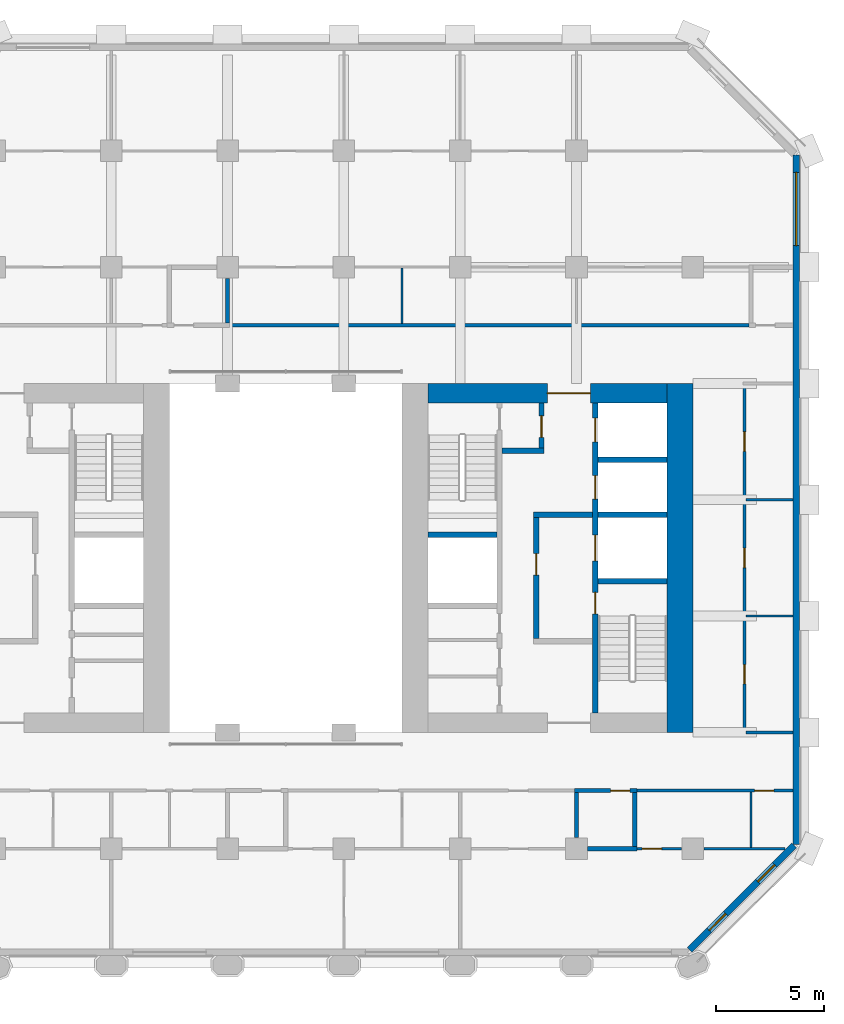
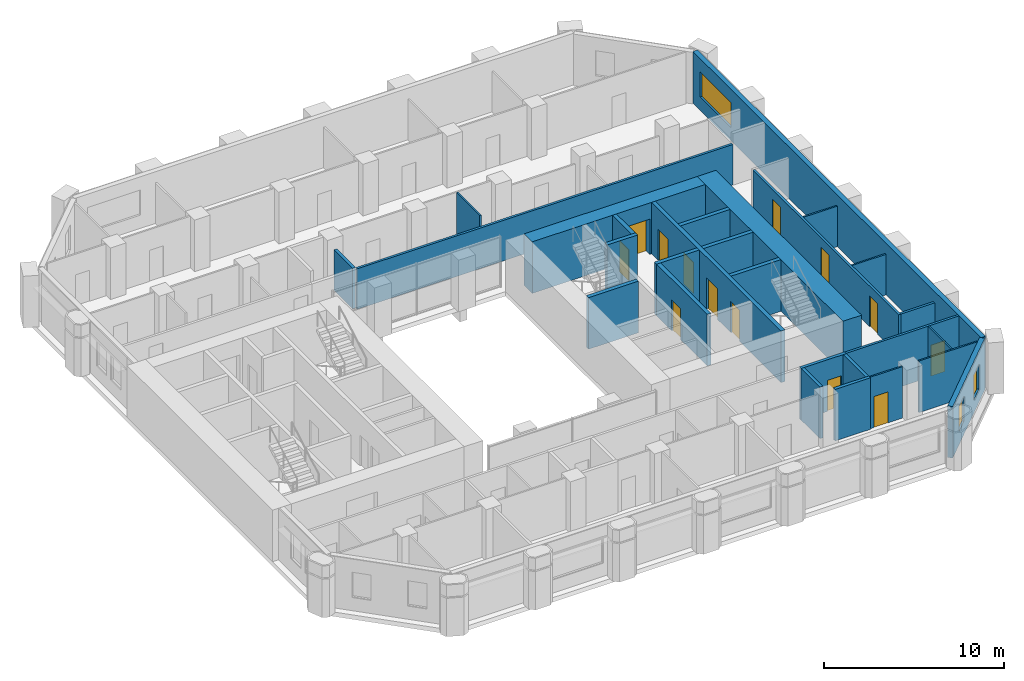
# One storey, part 6 of 10: 28 walls, 13 doors, 3 windows, 16 openings.
"""IFC4 building model written with IfcOpenShell, lengths in metres."""

from ifc_helpers import new_model, si_unit, direction, frame, frame_2d, origin, place, context, subcontext, project, spatial, rectangle, extrude, material, layer, layer_set, type_object, element, fill, save


model = new_model("IFC4")

# Units and contexts
model_context = context("Model", 3, precision=1e-05, world=origin(), true_north=direction((0.0, 1.0)))
body_context = subcontext(model_context, "Body", "Model", "MODEL_VIEW")
ifc_project = project(units=[si_unit("LENGTHUNIT", "METRE"), si_unit("AREAUNIT", "SQUARE_METRE"), si_unit("VOLUMEUNIT", "CUBIC_METRE"), si_unit("PLANEANGLEUNIT", "RADIAN"), si_unit("MASSUNIT", "GRAM", prefix="KILO")], contexts=[model_context])

# Site, building, storey
site_placement = place(None, origin())
site = spatial("IfcSite", under=ifc_project, at=site_placement, CompositionType="ELEMENT")
building_placement = place(site_placement, origin())
building = spatial("IfcBuilding", under=site, at=building_placement, Name="Tabaq Tower and Sports Hall", CompositionType="ELEMENT")
storey_placement = place(building_placement, frame((0.0, 0.0, 68.800048828125)))
storey = spatial("IfcBuildingStorey", under=building, at=storey_placement, Name="L15", CompositionType="ELEMENT", Elevation=68.800048828125)

# Wall
ifc_material_1 = material(Name="Concrete C60/75", Category="concrete")
ifc_layer_1 = layer(ifc_material_1, 1.199951171875)
ifc_layer_set_1 = layer_set([ifc_layer_1], Name="Core wall 1200 Concrete C60/75")
wall_type_1 = type_object("IfcWallType", Name="Core wall 1200 Concrete C60/75", PredefinedType="SOLIDWALL", material=ifc_layer_set_1)
wall_1_placement = place(storey_placement, frame((42.60009765625, 32.39990234375, 0.0), z_axis=(0.0, 0.0, 1.0), x_axis=(0.0, -1.0, 0.0)))
element("IfcWall", 1, at=wall_1_placement, inside=storey, type_object=wall_type_1, Name="Core wall E L15", PredefinedType="SOLIDWALL", context=body_context, shape_type="SweptSolid", body=[
    extrude(rectangle(XDim=16.199951171875, YDim=1.199951171875, at=frame_2d((8.10009765625, 0.0))), origin(), (0.0, 0.0, 1.0), 3.5),
])

# Wall, opening, door
ifc_material_2 = material(Name="Concrete C60/75", Category="concrete")
ifc_layer_2 = layer(ifc_material_2, 0.89990234375)
ifc_layer_set_2 = layer_set([ifc_layer_2], Name="Core wall 900 Concrete C60/75")
wall_type_2 = type_object("IfcWallType", Name="Core wall 900 Concrete C60/75", PredefinedType="SOLIDWALL", material=ifc_layer_set_2)
wall_2_placement = place(storey_placement, frame((30.89990234375, 31.949951171875, 0.0), z_axis=(0.0, 0.0, 1.0), x_axis=(1.0, 0.0, 0.0)))
wall_2 = element("IfcWall", 2, at=wall_2_placement, inside=storey, type_object=wall_type_2, Name="Core wall E L15", PredefinedType="SOLIDWALL", context=body_context, shape_type="SweptSolid", body=[
    extrude(rectangle(XDim=11.10009765625, YDim=0.89990234375, at=frame_2d((5.550048828125, 0.0))), origin(), (0.0, 0.0, 1.0), 3.5),
])
opening_1_placement = place(wall_2_placement, frame((5.550048828125, 0.0, 0.0)))
opening_1 = element("IfcOpeningElement", 3, at=opening_1_placement, cuts=wall_2, Name="Opening PD-EL15-02", PredefinedType="OPENING", context=body_context, shape_type="SweptSolid", body=[
    extrude(rectangle(XDim=2.0, YDim=2.39990234375, at=frame_2d((1.0, 1.199951171875))), frame((0.0, 0.449951171875, 0.0), z_axis=(0.0, -1.0, 0.0), x_axis=(1.0, 0.0, 0.0)), (0.0, 0.0, 1.0), 0.89990234375),
])
ifc_material_3 = material(Name="Steel fire door", Category="steel")
door_type_1 = type_object("IfcDoorType", Name="Core entrance door 2000", OperationType="DOUBLE_DOOR_SINGLE_SWING", PredefinedType="DOOR", material=ifc_material_3)
door_1_placement = place(opening_1_placement, origin())
door_1 = element("IfcDoor", 4, at=door_1_placement, inside=storey, type_object=door_type_1, Name="Core entrance north E L15", OperationType="DOUBLE_DOOR_SINGLE_SWING", OverallHeight=2.39990234375, OverallWidth=2.0, PredefinedType="DOOR", context=body_context, shape_type="SweptSolid", body=[
    extrude(rectangle(XDim=2.0, YDim=2.39990234375, at=frame_2d((1.0, 1.199951171875))), frame((0.0, 0.02490234375, 0.0), z_axis=(0.0, -1.0, 0.0), x_axis=(1.0, 0.0, 0.0)), (0.0, 0.0, 1.0), 0.050048828125),
])
fill(opening_1, door_1)

ifc_material_4 = material(Name="Blockwork", Category="masonry")
ifc_layer_3 = layer(ifc_material_4, 0.199951171875)
ifc_layer_set_3 = layer_set([ifc_layer_3], Name="Fire compartment wall 200 Blockwork")
wall_type_3 = type_object("IfcWallType", Name="Fire compartment wall 200 Blockwork", PredefinedType="PARTITIONING", material=ifc_layer_set_3)
wall_3_placement = place(storey_placement, frame((40.60009765625, 13.5, 0.0), z_axis=(0.0, 0.0, 1.0), x_axis=(-1.0, 0.0, 0.0)))
wall_3 = element("IfcWall", 5, at=wall_3_placement, inside=storey, type_object=wall_type_3, Name="Compartment wall L15", PredefinedType="PARTITIONING", context=body_context, shape_type="SweptSolid", body=[
    extrude(rectangle(XDim=2.900146484375, YDim=0.199951171875, at=frame_2d((1.4501953125, 0.0))), origin(), (0.0, 0.0, 1.0), 3.5),
])
opening_2_placement = place(wall_3_placement, frame((0.320068359375, 0.0, 0.0)))
opening_2 = element("IfcOpeningElement", 6, at=opening_2_placement, cuts=wall_3, Name="Opening L15-008", PredefinedType="OPENING", context=body_context, shape_type="SweptSolid", body=[
    extrude(rectangle(XDim=0.89990234375, YDim=2.10009765625, at=frame_2d((0.449951171875, 1.050048828125))), frame((0.0, 0.10009765625, 0.0), z_axis=(0.0, -1.0, 0.0), x_axis=(1.0, 0.0, 0.0)), (0.0, 0.0, 1.0), 0.199951171875),
])
ifc_material_5 = material(Name="Steel fire door", Category="steel")
door_type_2 = type_object("IfcDoorType", Name="Plant room door 900 right hand", OperationType="SINGLE_SWING_RIGHT", PredefinedType="DOOR", material=ifc_material_5)
door_2_placement = place(opening_2_placement, origin())
door_2 = element("IfcDoor", 7, at=door_2_placement, inside=storey, type_object=door_type_2, Name="Plant room door L15-008", OperationType="SINGLE_SWING_RIGHT", OverallHeight=2.10009765625, OverallWidth=0.89990234375, PredefinedType="DOOR", context=body_context, shape_type="SweptSolid", body=[
    extrude(rectangle(XDim=0.89990234375, YDim=2.10009765625, at=frame_2d((0.449951171875, 1.050048828125))), frame((0.0, 0.02490234375, 0.0), z_axis=(0.0, -1.0, 0.0), x_axis=(1.0, 0.0, 0.0)), (0.0, 0.0, 1.0), 0.050048828125),
])
fill(opening_2, door_2)

# Walls
wall_4_placement = place(storey_placement, frame((21.60009765625, 35.199951171875, 0.0), z_axis=(0.0, 0.0, 1.0), x_axis=(0.0, 1.0, 0.0)))
element("IfcWall", 8, at=wall_4_placement, inside=storey, type_object=wall_type_3, Name="Compartment wall L15", PredefinedType="PARTITIONING", context=body_context, shape_type="SweptSolid", body=[
    extrude(rectangle(XDim=2.080078125, YDim=0.199951171875, at=frame_2d((1.0400390625, 0.0))), origin(), (0.0, 0.0, 1.0), 2.75),
])
wall_5_placement = place(storey_placement, frame((37.800048828125, 11.320068359375, 0.0), z_axis=(0.0, 0.0, 1.0), x_axis=(0.0, 1.0, 0.0)))
element("IfcWall", 9, at=wall_5_placement, inside=storey, type_object=wall_type_3, Name="Compartment wall L15", PredefinedType="PARTITIONING", context=body_context, shape_type="SweptSolid", body=[
    extrude(rectangle(XDim=2.079833984375, YDim=0.199951171875, at=frame_2d((1.0400390625, 0.0))), origin(), (0.0, 0.0, 1.0), 3.5),
])
wall_6_placement = place(storey_placement, frame((38.320068359375, 10.800048828125, 0.0), z_axis=(0.0, 0.0, 1.0), x_axis=(1.0, 0.0, 0.0)))
element("IfcWall", 10, at=wall_6_placement, inside=storey, type_object=wall_type_3, Name="Compartment wall L15", PredefinedType="PARTITIONING", context=body_context, shape_type="SweptSolid", body=[
    extrude(rectangle(XDim=2.280029296875, YDim=0.199951171875, at=frame_2d((1.14013671875, 0.0))), origin(), (0.0, 0.0, 1.0), 3.5),
])
wall_7_placement = place(storey_placement, frame((40.5, 10.89990234375, 0.0), z_axis=(0.0, 0.0, 1.0), x_axis=(0.0, 1.0, 0.0)))
element("IfcWall", 11, at=wall_7_placement, inside=storey, type_object=wall_type_3, Name="Compartment wall L15", PredefinedType="PARTITIONING", context=body_context, shape_type="SweptSolid", body=[
    extrude(rectangle(XDim=2.5, YDim=0.199951171875, at=frame_2d((1.25, 0.0))), origin(), (0.0, 0.0, 1.0), 3.5),
])
ifc_material_6 = material(Name="Gypsum board on steel studs", Category="steel")
ifc_layer_4 = layer(ifc_material_6, 0.10009765625)
ifc_layer_set_4 = layer_set([ifc_layer_4], Name="Partition 100 Gypsum board")
wall_type_4 = type_object("IfcWallType", Name="Partition 100 Gypsum board", PredefinedType="PARTITIONING", material=ifc_layer_set_4)
wall_8_placement = place(storey_placement, frame((29.699951171875, 35.175048828125, 0.0), z_axis=(0.0, 0.0, 1.0), x_axis=(0.0, 1.0, 0.0)))
element("IfcWall", 12, at=wall_8_placement, inside=storey, type_object=wall_type_4, Name="Partition wall L15", PredefinedType="PARTITIONING", context=body_context, shape_type="SweptSolid", body=[
    extrude(rectangle(XDim=2.574951171875, YDim=0.10009765625, at=frame_2d((1.28759765625, 0.0))), origin(), (0.0, 0.0, 1.0), 3.5),
])

# Wall, opening, door
wall_9_placement = place(storey_placement, frame((40.60009765625, 10.800048828125, 0.0), z_axis=(0.0, 0.0, 1.0), x_axis=(1.0, 0.0, 0.0)))
wall_9 = element("IfcWall", 13, at=wall_9_placement, inside=storey, type_object=wall_type_4, Name="Partition wall L15", PredefinedType="PARTITIONING", context=body_context, shape_type="SweptSolid", body=[
    extrude(rectangle(XDim=2.079833984375, YDim=0.10009765625, at=frame_2d((1.0400390625, 0.0))), origin(), (0.0, 0.0, 1.0), 3.5),
])
opening_3_placement = place(wall_9_placement, frame((0.25, 0.0, 0.0)))
opening_3 = element("IfcOpeningElement", 14, at=opening_3_placement, cuts=wall_9, Name="Opening L15-027", PredefinedType="OPENING", context=body_context, shape_type="SweptSolid", body=[
    extrude(rectangle(XDim=0.89990234375, YDim=2.10009765625, at=frame_2d((0.449951171875, 1.050048828125))), frame((0.0, 0.050048828125, 0.0), z_axis=(0.0, -1.0, 0.0), x_axis=(1.0, 0.0, 0.0)), (0.0, 0.0, 1.0), 0.10009765625),
])
ifc_material_7 = material(Name="Timber leaf in steel frame", Category="steel")
door_type_3 = type_object("IfcDoorType", Name="Internal door 900 left hand", OperationType="SINGLE_SWING_LEFT", PredefinedType="DOOR", material=ifc_material_7)
door_3_placement = place(opening_3_placement, origin())
door_3 = element("IfcDoor", 15, at=door_3_placement, inside=storey, type_object=door_type_3, Name="Internal door L15-027", OperationType="SINGLE_SWING_LEFT", OverallHeight=2.10009765625, OverallWidth=0.89990234375, PredefinedType="DOOR", context=body_context, shape_type="SweptSolid", body=[
    extrude(rectangle(XDim=0.89990234375, YDim=2.10009765625, at=frame_2d((0.449951171875, 1.050048828125))), frame((0.0, 0.02490234375, 0.0), z_axis=(0.0, -1.0, 0.0), x_axis=(1.0, 0.0, 0.0)), (0.0, 0.0, 1.0), 0.050048828125),
])
fill(opening_3, door_3)

# Walls
wall_10_placement = place(storey_placement, frame((45.89990234375, 10.85009765625, 0.0), z_axis=(0.0, 0.0, 1.0), x_axis=(0.0, 1.0, 0.0)))
element("IfcWall", 16, at=wall_10_placement, inside=storey, type_object=wall_type_4, Name="Partition wall L15", PredefinedType="PARTITIONING", context=body_context, shape_type="SweptSolid", body=[
    extrude(rectangle(XDim=2.574951171875, YDim=0.10009765625, at=frame_2d((1.28759765625, 0.0))), origin(), (0.0, 0.0, 1.0), 3.5),
])
wall_11_placement = place(storey_placement, frame((43.719970703125, 10.800048828125, 0.0), z_axis=(0.0, 0.0, 1.0), x_axis=(1.0, 0.0, 0.0)))
element("IfcWall", 17, at=wall_11_placement, inside=storey, type_object=wall_type_4, Name="Partition wall L15", PredefinedType="PARTITIONING", context=body_context, shape_type="SweptSolid", body=[
    extrude(rectangle(XDim=3.767822265625, YDim=0.10009765625, at=frame_2d((1.8837890625, 0.0))), origin(), (0.0, 0.0, 1.0), 3.5),
])
for number, where, z_axis, x_axis, name in (
    (18, (45.675048828125, 21.60009765625, 0.0), (0.0, 0.0, 1.0), (1.0, 0.0, 0.0), "Partition wall L15"),
    (19, (45.675048828125, 27.0, 0.0), (0.0, 0.0, 1.0), (1.0, 0.0, 0.0), "Partition wall L15"),
):
    element("IfcWall", number, at=place(storey_placement, frame(where, z_axis=z_axis, x_axis=x_axis)), inside=storey, type_object=wall_type_4, Name=name, PredefinedType="PARTITIONING", context=body_context, shape_type="SweptSolid", body=[
        extrude(rectangle(XDim=2.174072265625, YDim=0.10009765625, at=frame_2d((1.0869140625, 0.0))), origin(), (0.0, 0.0, 1.0), 2.75),
    ])

# Wall, openings, doors
ifc_material_8 = material(Name="Blockwork", Category="masonry")
ifc_layer_5 = layer(ifc_material_8, 0.14990234375)
ifc_layer_set_5 = layer_set([ifc_layer_5], Name="Separating wall 150 Blockwork")
wall_type_5 = type_object("IfcWallType", Name="Separating wall 150 Blockwork", PredefinedType="PARTITIONING", material=ifc_layer_set_5)
wall_12_placement = place(storey_placement, frame((45.60009765625, 32.324951171875, 0.0), z_axis=(0.0, 0.0, 1.0), x_axis=(0.0, -1.0, 0.0)))
wall_12 = element("IfcWall", 20, at=wall_12_placement, inside=storey, type_object=wall_type_5, Name="Separating wall L15", PredefinedType="PARTITIONING", context=body_context, shape_type="SweptSolid", body=[
    extrude(rectangle(XDim=16.199951171875, YDim=0.14990234375, at=frame_2d((8.10009765625, 0.0))), origin(), (0.0, 0.0, 1.0), 2.75),
])
opening_4_placement = place(wall_12_placement, frame((12.97509765625, 0.0, 0.0)))
opening_4 = element("IfcOpeningElement", 21, at=opening_4_placement, cuts=wall_12, Name="Opening L15-010", PredefinedType="OPENING", context=body_context, shape_type="SweptSolid", body=[
    extrude(rectangle(XDim=0.89990234375, YDim=2.10009765625, at=frame_2d((0.449951171875, 1.050048828125))), frame((0.0, 0.074951171875, 0.0), z_axis=(0.0, -1.0, 0.0), x_axis=(1.0, 0.0, 0.0)), (0.0, 0.0, 1.0), 0.14990234375),
])
opening_5_placement = place(wall_12_placement, frame((7.574951171875, 0.0, 0.0)))
opening_5 = element("IfcOpeningElement", 22, at=opening_5_placement, cuts=wall_12, Name="Opening L15-011", PredefinedType="OPENING", context=body_context, shape_type="SweptSolid", body=[
    extrude(rectangle(XDim=0.89990234375, YDim=2.10009765625, at=frame_2d((0.449951171875, 1.050048828125))), frame((0.0, 0.074951171875, 0.0), z_axis=(0.0, -1.0, 0.0), x_axis=(1.0, 0.0, 0.0)), (0.0, 0.0, 1.0), 0.14990234375),
])
opening_6_placement = place(wall_12_placement, frame((2.175048828125, 0.0, 0.0)))
opening_6 = element("IfcOpeningElement", 23, at=opening_6_placement, cuts=wall_12, Name="Opening L15-012", PredefinedType="OPENING", context=body_context, shape_type="SweptSolid", body=[
    extrude(rectangle(XDim=0.89990234375, YDim=2.10009765625, at=frame_2d((0.449951171875, 1.050048828125))), frame((0.0, 0.074951171875, 0.0), z_axis=(0.0, -1.0, 0.0), x_axis=(1.0, 0.0, 0.0)), (0.0, 0.0, 1.0), 0.14990234375),
])
door_4_placement = place(opening_4_placement, origin())
door_4 = element("IfcDoor", 24, at=door_4_placement, inside=storey, type_object=door_type_3, Name="Internal door L15-010", OperationType="SINGLE_SWING_LEFT", OverallHeight=2.10009765625, OverallWidth=0.89990234375, PredefinedType="DOOR", context=body_context, shape_type="SweptSolid", body=[
    extrude(rectangle(XDim=0.89990234375, YDim=2.10009765625, at=frame_2d((0.449951171875, 1.050048828125))), frame((0.0, 0.02490234375, 0.0), z_axis=(0.0, -1.0, 0.0), x_axis=(1.0, 0.0, 0.0)), (0.0, 0.0, 1.0), 0.050048828125),
])
fill(opening_4, door_4)
door_5_placement = place(opening_5_placement, origin())
door_5 = element("IfcDoor", 25, at=door_5_placement, inside=storey, type_object=door_type_3, Name="Internal door L15-011", OperationType="SINGLE_SWING_LEFT", OverallHeight=2.10009765625, OverallWidth=0.89990234375, PredefinedType="DOOR", context=body_context, shape_type="SweptSolid", body=[
    extrude(rectangle(XDim=0.89990234375, YDim=2.10009765625, at=frame_2d((0.449951171875, 1.050048828125))), frame((0.0, 0.02490234375, 0.0), z_axis=(0.0, -1.0, 0.0), x_axis=(1.0, 0.0, 0.0)), (0.0, 0.0, 1.0), 0.050048828125),
])
fill(opening_5, door_5)
door_6_placement = place(opening_6_placement, origin())
door_6 = element("IfcDoor", 26, at=door_6_placement, inside=storey, type_object=door_type_3, Name="Internal door L15-012", OperationType="SINGLE_SWING_LEFT", OverallHeight=2.10009765625, OverallWidth=0.89990234375, PredefinedType="DOOR", context=body_context, shape_type="SweptSolid", body=[
    extrude(rectangle(XDim=0.89990234375, YDim=2.10009765625, at=frame_2d((0.449951171875, 1.050048828125))), frame((0.0, 0.02490234375, 0.0), z_axis=(0.0, -1.0, 0.0), x_axis=(1.0, 0.0, 0.0)), (0.0, 0.0, 1.0), 0.050048828125),
])
fill(opening_6, door_6)

# Wall
wall_13_placement = place(storey_placement, frame((45.675048828125, 16.199951171875, 0.0), z_axis=(0.0, 0.0, 1.0), x_axis=(1.0, 0.0, 0.0)))
element("IfcWall", 27, at=wall_13_placement, inside=storey, type_object=wall_type_5, Name="Separating wall L15", PredefinedType="PARTITIONING", context=body_context, shape_type="SweptSolid", body=[
    extrude(rectangle(XDim=2.174072265625, YDim=0.14990234375, at=frame_2d((1.0869140625, 0.0))), origin(), (0.0, 0.0, 1.0), 2.75),
])

# Wall, opening, door
wall_14_placement = place(storey_placement, frame((47.84912109375, 13.5, 0.0), z_axis=(0.0, 0.0, 1.0), x_axis=(-1.0, 0.0, 0.0)))
wall_14 = element("IfcWall", 28, at=wall_14_placement, inside=storey, type_object=wall_type_5, Name="Separating wall L15", PredefinedType="PARTITIONING", context=body_context, shape_type="SweptSolid", body=[
    extrude(rectangle(XDim=7.2490234375, YDim=0.14990234375, at=frame_2d((3.62451171875, 0.0))), origin(), (0.0, 0.0, 1.0), 3.5),
])
opening_7_placement = place(wall_14_placement, frame((0.87890625, 0.0, 0.0)))
opening_7 = element("IfcOpeningElement", 29, at=opening_7_placement, cuts=wall_14, Name="Opening L15-009", PredefinedType="OPENING", context=body_context, shape_type="SweptSolid", body=[
    extrude(rectangle(XDim=0.89990234375, YDim=2.10009765625, at=frame_2d((0.449951171875, 1.050048828125))), frame((0.0, 0.074951171875, 0.0), z_axis=(0.0, -1.0, 0.0), x_axis=(1.0, 0.0, 0.0)), (0.0, 0.0, 1.0), 0.14990234375),
])
ifc_material_9 = material(Name="Steel fire door", Category="steel")
door_type_4 = type_object("IfcDoorType", Name="Entrance door 900 right hand", OperationType="SINGLE_SWING_RIGHT", PredefinedType="DOOR", material=ifc_material_9)
door_7_placement = place(opening_7_placement, origin())
door_7 = element("IfcDoor", 30, at=door_7_placement, inside=storey, type_object=door_type_4, Name="Entrance door L15-009", OperationType="SINGLE_SWING_RIGHT", OverallHeight=2.10009765625, OverallWidth=0.89990234375, PredefinedType="DOOR", context=body_context, shape_type="SweptSolid", body=[
    extrude(rectangle(XDim=0.89990234375, YDim=2.10009765625, at=frame_2d((0.449951171875, 1.050048828125))), frame((0.0, 0.02490234375, 0.0), z_axis=(0.0, -1.0, 0.0), x_axis=(1.0, 0.0, 0.0)), (0.0, 0.0, 1.0), 0.050048828125),
])
fill(opening_7, door_7)

# Wall
wall_15_placement = place(storey_placement, frame((21.699951171875, 35.10009765625, 0.0), z_axis=(0.0, 0.0, 1.0), x_axis=(1.0, 0.0, 0.0)))
element("IfcWall", 31, at=wall_15_placement, inside=storey, type_object=wall_type_5, Name="Separating wall L15", PredefinedType="PARTITIONING", context=body_context, shape_type="SweptSolid", body=[
    extrude(rectangle(XDim=24.10009765625, YDim=0.14990234375, at=frame_2d((12.050048828125, 0.0))), origin(), (0.0, 0.0, 1.0), 2.75),
])

# Wall, openings, doors
ifc_material_10 = material(Name="Concrete C40/50", Category="concrete")
ifc_layer_6 = layer(ifc_material_10, 0.25)
ifc_layer_set_6 = layer_set([ifc_layer_6], Name="Shaft and stair wall 250 Concrete C40/50")
wall_type_6 = type_object("IfcWallType", Name="Shaft and stair wall 250 Concrete C40/50", PredefinedType="SOLIDWALL", material=ifc_layer_set_6)
wall_16_placement = place(storey_placement, frame((38.675048828125, 17.10009765625, 0.0), z_axis=(0.0, 0.0, 1.0), x_axis=(0.0, 1.0, 0.0)))
wall_16 = element("IfcWall", 32, at=wall_16_placement, inside=storey, type_object=wall_type_6, Name="Shaft wall E L15", PredefinedType="SOLIDWALL", context=body_context, shape_type="SweptSolid", body=[
    extrude(rectangle(XDim=14.39990234375, YDim=0.25, at=frame_2d((7.199951171875, 0.0))), origin(), (0.0, 0.0, 1.0), 3.5),
])
opening_8_placement = place(wall_16_placement, frame((4.60009765625, 0.0, 0.0)))
opening_8 = element("IfcOpeningElement", 33, at=opening_8_placement, cuts=wall_16, Name="Opening SD-EL15-03", PredefinedType="OPENING", context=body_context, shape_type="SweptSolid", body=[
    extrude(rectangle(XDim=1.0, YDim=2.10009765625, at=frame_2d((0.5, 1.050048828125))), frame((0.0, 0.125, 0.0), z_axis=(0.0, -1.0, 0.0), x_axis=(1.0, 0.0, 0.0)), (0.0, 0.0, 1.0), 0.25),
])
opening_9_placement = place(wall_16_placement, frame((7.0625, 0.0, 0.0)))
opening_9 = element("IfcOpeningElement", 34, at=opening_9_placement, cuts=wall_16, Name="Opening LD-FF2-L15", PredefinedType="OPENING", context=body_context, shape_type="SweptSolid", body=[
    extrude(rectangle(XDim=1.199951171875, YDim=2.10009765625, at=frame_2d((0.60009765625, 1.050048828125))), frame((0.0, 0.125, 0.0), z_axis=(0.0, -1.0, 0.0), x_axis=(1.0, 0.0, 0.0)), (0.0, 0.0, 1.0), 0.25),
])
opening_10_placement = place(wall_16_placement, frame((9.925048828125, 0.0, 0.0)))
opening_10 = element("IfcOpeningElement", 35, at=opening_10_placement, cuts=wall_16, Name="Opening LD-LR3-L15", PredefinedType="OPENING", context=body_context, shape_type="SweptSolid", body=[
    extrude(rectangle(XDim=1.10009765625, YDim=2.10009765625, at=frame_2d((0.550048828125, 1.050048828125))), frame((0.0, 0.125, 0.0), z_axis=(0.0, -1.0, 0.0), x_axis=(1.0, 0.0, 0.0)), (0.0, 0.0, 1.0), 0.25),
])
opening_11_placement = place(wall_16_placement, frame((12.58740234375, 0.0, 0.0)))
opening_11 = element("IfcOpeningElement", 36, at=opening_11_placement, cuts=wall_16, Name="Opening LD-LR4-L15", PredefinedType="OPENING", context=body_context, shape_type="SweptSolid", body=[
    extrude(rectangle(XDim=1.10009765625, YDim=2.10009765625, at=frame_2d((0.550048828125, 1.050048828125))), frame((0.0, 0.125, 0.0), z_axis=(0.0, -1.0, 0.0), x_axis=(1.0, 0.0, 0.0)), (0.0, 0.0, 1.0), 0.25),
])
ifc_material_11 = material(Name="Stainless steel", Category="steel")
door_type_5 = type_object("IfcDoorType", Name="Lift landing door 1100", OperationType="DOUBLE_DOOR_SLIDING", PredefinedType="DOOR", material=ifc_material_11)
door_8_placement = place(opening_10_placement, origin())
door_8 = element("IfcDoor", 37, at=door_8_placement, inside=storey, type_object=door_type_5, Name="Lift landing door LR3 E L15", OperationType="DOUBLE_DOOR_SLIDING", OverallHeight=2.10009765625, OverallWidth=1.10009765625, PredefinedType="DOOR", context=body_context, shape_type="SweptSolid", body=[
    extrude(rectangle(XDim=1.10009765625, YDim=2.10009765625, at=frame_2d((0.550048828125, 1.050048828125))), frame((0.0, 0.02490234375, 0.0), z_axis=(0.0, -1.0, 0.0), x_axis=(1.0, 0.0, 0.0)), (0.0, 0.0, 1.0), 0.050048828125),
])
fill(opening_10, door_8)
door_9_placement = place(opening_11_placement, origin())
door_9 = element("IfcDoor", 38, at=door_9_placement, inside=storey, type_object=door_type_5, Name="Lift landing door LR4 E L15", OperationType="DOUBLE_DOOR_SLIDING", OverallHeight=2.10009765625, OverallWidth=1.10009765625, PredefinedType="DOOR", context=body_context, shape_type="SweptSolid", body=[
    extrude(rectangle(XDim=1.10009765625, YDim=2.10009765625, at=frame_2d((0.550048828125, 1.050048828125))), frame((0.0, 0.02490234375, 0.0), z_axis=(0.0, -1.0, 0.0), x_axis=(1.0, 0.0, 0.0)), (0.0, 0.0, 1.0), 0.050048828125),
])
fill(opening_11, door_9)
ifc_material_12 = material(Name="Stainless steel", Category="steel")
door_type_6 = type_object("IfcDoorType", Name="Lift landing door 1200", OperationType="DOUBLE_DOOR_SLIDING", PredefinedType="DOOR", material=ifc_material_12)
door_10_placement = place(opening_9_placement, origin())
door_10 = element("IfcDoor", 39, at=door_10_placement, inside=storey, type_object=door_type_6, Name="Lift landing door FF2 E L15", OperationType="DOUBLE_DOOR_SLIDING", OverallHeight=2.10009765625, OverallWidth=1.199951171875, PredefinedType="DOOR", context=body_context, shape_type="SweptSolid", body=[
    extrude(rectangle(XDim=1.199951171875, YDim=2.10009765625, at=frame_2d((0.60009765625, 1.050048828125))), frame((0.0, 0.02490234375, 0.0), z_axis=(0.0, -1.0, 0.0), x_axis=(1.0, 0.0, 0.0)), (0.0, 0.0, 1.0), 0.050048828125),
])
fill(opening_9, door_10)
ifc_material_13 = material(Name="Steel fire door", Category="steel")
door_type_7 = type_object("IfcDoorType", Name="Stair door 1000", OperationType="SINGLE_SWING_LEFT", PredefinedType="DOOR", material=ifc_material_13)
door_11_placement = place(opening_8_placement, origin())
door_11 = element("IfcDoor", 40, at=door_11_placement, inside=storey, type_object=door_type_7, Name="Stair door ST3 E L15", OperationType="SINGLE_SWING_LEFT", OverallHeight=2.10009765625, OverallWidth=1.0, PredefinedType="DOOR", context=body_context, shape_type="SweptSolid", body=[
    extrude(rectangle(XDim=1.0, YDim=2.10009765625, at=frame_2d((0.5, 1.050048828125))), frame((0.0, 0.02490234375, 0.0), z_axis=(0.0, -1.0, 0.0), x_axis=(1.0, 0.0, 0.0)), (0.0, 0.0, 1.0), 0.050048828125),
])
fill(opening_8, door_11)

# Walls
wall_17_placement = place(storey_placement, frame((38.800048828125, 23.22509765625, 0.0), z_axis=(0.0, 0.0, 1.0), x_axis=(1.0, 0.0, 0.0)))
element("IfcWall", 41, at=wall_17_placement, inside=storey, type_object=wall_type_6, Name="Stair enclosure wall E L15", PredefinedType="SOLIDWALL", context=body_context, shape_type="SweptSolid", body=[
    extrude(rectangle(XDim=3.199951171875, YDim=0.25, at=frame_2d((1.60009765625, 0.0))), origin(), (0.0, 0.0, 1.0), 3.5),
])
wall_18_placement = place(storey_placement, frame((30.89990234375, 25.375, 0.0), z_axis=(0.0, 0.0, 1.0), x_axis=(1.0, 0.0, 0.0)))
element("IfcWall", 42, at=wall_18_placement, inside=storey, type_object=wall_type_6, Name="Stair enclosure wall E L15", PredefinedType="SOLIDWALL", context=body_context, shape_type="SweptSolid", body=[
    extrude(rectangle(XDim=3.2001953125, YDim=0.25, at=frame_2d((1.60009765625, 0.0))), origin(), (0.0, 0.0, 1.0), 3.5),
])
wall_19_placement = place(storey_placement, frame((38.800048828125, 26.300048828125, 0.0), z_axis=(0.0, 0.0, 1.0), x_axis=(1.0, 0.0, 0.0)))
element("IfcWall", 43, at=wall_19_placement, inside=storey, type_object=wall_type_6, Name="Shaft wall E L15", PredefinedType="SOLIDWALL", context=body_context, shape_type="SweptSolid", body=[
    extrude(rectangle(XDim=3.199951171875, YDim=0.25, at=frame_2d((1.60009765625, 0.0))), origin(), (0.0, 0.0, 1.0), 3.5),
])
wall_20_placement = place(storey_placement, frame((35.800048828125, 26.300048828125, 0.0), z_axis=(0.0, 0.0, 1.0), x_axis=(1.0, 0.0, 0.0)))
element("IfcWall", 44, at=wall_20_placement, inside=storey, type_object=wall_type_6, Name="Fire-fighting lobby wall E L15", PredefinedType="SOLIDWALL", context=body_context, shape_type="SweptSolid", body=[
    extrude(rectangle(XDim=2.75, YDim=0.25, at=frame_2d((1.375, 0.0))), origin(), (0.0, 0.0, 1.0), 3.5),
])

# Wall, opening, door
wall_21_placement = place(storey_placement, frame((36.175048828125, 29.39990234375, 0.0), z_axis=(0.0, 0.0, 1.0), x_axis=(0.0, 1.0, 0.0)))
wall_21 = element("IfcWall", 45, at=wall_21_placement, inside=storey, type_object=wall_type_6, Name="Fire-fighting lobby wall E L15", PredefinedType="SOLIDWALL", context=body_context, shape_type="SweptSolid", body=[
    extrude(rectangle(XDim=2.10009765625, YDim=0.25, at=frame_2d((1.050048828125, 0.0))), origin(), (0.0, 0.0, 1.0), 3.5),
])
opening_12_placement = place(wall_21_placement, frame((0.5, 0.0, 0.0)))
opening_12 = element("IfcOpeningElement", 46, at=opening_12_placement, cuts=wall_21, Name="Opening FD-EL15-06", PredefinedType="OPENING", context=body_context, shape_type="SweptSolid", body=[
    extrude(rectangle(XDim=1.0, YDim=2.10009765625, at=frame_2d((0.5, 1.050048828125))), frame((0.0, 0.125, 0.0), z_axis=(0.0, -1.0, 0.0), x_axis=(1.0, 0.0, 0.0)), (0.0, 0.0, 1.0), 0.25),
])
ifc_material_14 = material(Name="Steel fire door", Category="steel")
door_type_8 = type_object("IfcDoorType", Name="Fire-fighting lobby door 1000", OperationType="SINGLE_SWING_LEFT", PredefinedType="DOOR", material=ifc_material_14)
door_12_placement = place(opening_12_placement, origin())
door_12 = element("IfcDoor", 47, at=door_12_placement, inside=storey, type_object=door_type_8, Name="Stair lobby door E L15", OperationType="SINGLE_SWING_LEFT", OverallHeight=2.10009765625, OverallWidth=1.0, PredefinedType="DOOR", context=body_context, shape_type="SweptSolid", body=[
    extrude(rectangle(XDim=1.0, YDim=2.10009765625, at=frame_2d((0.5, 1.050048828125))), frame((0.0, 0.02490234375, 0.0), z_axis=(0.0, -1.0, 0.0), x_axis=(1.0, 0.0, 0.0)), (0.0, 0.0, 1.0), 0.050048828125),
])
fill(opening_12, door_12)

# Wall
wall_22_placement = place(storey_placement, frame((34.35009765625, 29.27490234375, 0.0), z_axis=(0.0, 0.0, 1.0), x_axis=(1.0, 0.0, 0.0)))
element("IfcWall", 48, at=wall_22_placement, inside=storey, type_object=wall_type_6, Name="Fire-fighting lobby wall E L15", PredefinedType="SOLIDWALL", context=body_context, shape_type="SweptSolid", body=[
    extrude(rectangle(XDim=1.949951171875, YDim=0.25, at=frame_2d((0.97509765625, 0.0))), origin(), (0.0, 0.0, 1.0), 3.5),
])

# Wall, opening, door
wall_23_placement = place(storey_placement, frame((35.925048828125, 20.550048828125, 0.0), z_axis=(0.0, 0.0, 1.0), x_axis=(0.0, 1.0, 0.0)))
wall_23 = element("IfcWall", 49, at=wall_23_placement, inside=storey, type_object=wall_type_6, Name="Fire-fighting lobby wall E L15", PredefinedType="SOLIDWALL", context=body_context, shape_type="SweptSolid", body=[
    extrude(rectangle(XDim=5.625, YDim=0.25, at=frame_2d((2.8125, 0.0))), origin(), (0.0, 0.0, 1.0), 3.5),
])
opening_13_placement = place(wall_23_placement, frame((2.949951171875, 0.0, 0.0)))
opening_13 = element("IfcOpeningElement", 50, at=opening_13_placement, cuts=wall_23, Name="Opening FD-EL15-04", PredefinedType="OPENING", context=body_context, shape_type="SweptSolid", body=[
    extrude(rectangle(XDim=1.0, YDim=2.10009765625, at=frame_2d((0.5, 1.050048828125))), frame((0.0, 0.125, 0.0), z_axis=(0.0, -1.0, 0.0), x_axis=(1.0, 0.0, 0.0)), (0.0, 0.0, 1.0), 0.25),
])
door_13_placement = place(opening_13_placement, origin())
door_13 = element("IfcDoor", 51, at=door_13_placement, inside=storey, type_object=door_type_8, Name="Fire-fighting lobby door E L15", OperationType="SINGLE_SWING_LEFT", OverallHeight=2.10009765625, OverallWidth=1.0, PredefinedType="DOOR", context=body_context, shape_type="SweptSolid", body=[
    extrude(rectangle(XDim=1.0, YDim=2.10009765625, at=frame_2d((0.5, 1.050048828125))), frame((0.0, 0.02490234375, 0.0), z_axis=(0.0, -1.0, 0.0), x_axis=(1.0, 0.0, 0.0)), (0.0, 0.0, 1.0), 0.050048828125),
])
fill(opening_13, door_13)

# Wall
wall_24_placement = place(storey_placement, frame((38.800048828125, 28.85009765625, 0.0), z_axis=(0.0, 0.0, 1.0), x_axis=(1.0, 0.0, 0.0)))
element("IfcWall", 52, at=wall_24_placement, inside=storey, type_object=wall_type_6, Name="Shaft wall E L15", PredefinedType="SOLIDWALL", context=body_context, shape_type="SweptSolid", body=[
    extrude(rectangle(XDim=3.199951171875, YDim=0.25, at=frame_2d((1.60009765625, 0.0))), origin(), (0.0, 0.0, 1.0), 3.5),
])

# Wall, openings, windows
ifc_material_15 = material(Name="White precast concrete C60/75", Category="concrete")
ifc_layer_7 = layer(ifc_material_15, 0.300048828125)
ifc_layer_set_7 = layer_set([ifc_layer_7], Name="White precast concrete C60/75 external wall 300")
wall_type_7 = type_object("IfcWallType", Name="White precast concrete C60/75 external wall 300", PredefinedType="SOLIDWALL", material=ifc_layer_set_7)
wall_25_placement = place(storey_placement, frame((43.050537109375, 6.098876953125, 0.0), z_axis=(0.0, 0.0, 1.0), x_axis=(0.707106781187, 0.707106781187, 0.0)))
wall_25 = element("IfcWall", 53, at=wall_25_placement, inside=storey, type_object=wall_type_7, Name="External Wall L15 SE", PredefinedType="SOLIDWALL", context=body_context, shape_type="SweptSolid", body=[
    extrude(rectangle(XDim=6.85986328125, YDim=0.300048828125, at=frame_2d((3.429931640625, 0.0))), origin(), (0.0, 0.0, 1.0), 3.5),
])
opening_14_placement = place(wall_25_placement, frame((1.27978515625, 0.0, 0.89990234375)))
opening_14 = element("IfcOpeningElement", 54, at=opening_14_placement, cuts=wall_25, Name="Opening W1B", PredefinedType="OPENING", context=body_context, shape_type="SweptSolid", body=[
    extrude(rectangle(XDim=1.10009765625, YDim=1.699951171875, at=frame_2d((0.550048828125, 0.85009765625))), frame((0.0, 0.16015625, 0.0), z_axis=(0.0, -1.0, 0.0), x_axis=(1.0, 0.0, 0.0)), (0.0, 0.0, 1.0), 0.320068359375),
])
opening_15_placement = place(wall_25_placement, frame((4.479736328125, 0.0, 0.89990234375)))
opening_15 = element("IfcOpeningElement", 55, at=opening_15_placement, cuts=wall_25, Name="Opening W1B", PredefinedType="OPENING", context=body_context, shape_type="SweptSolid", body=[
    extrude(rectangle(XDim=1.10009765625, YDim=1.699951171875, at=frame_2d((0.550048828125, 0.85009765625))), frame((0.0, 0.16015625, 0.0), z_axis=(0.0, -1.0, 0.0), x_axis=(1.0, 0.0, 0.0)), (0.0, 0.0, 1.0), 0.320068359375),
])
ifc_material_16 = material(Name="Aluminium framed clear glazing", Category="aluminium")
window_type_1 = type_object("IfcWindowType", Name="Window W1B", PartitioningType="SINGLE_PANEL", PredefinedType="WINDOW", material=ifc_material_16)
window_1_placement = place(opening_14_placement, origin())
window_1 = element("IfcWindow", 56, at=window_1_placement, inside=storey, type_object=window_type_1, Name="Window W1B L15", OverallHeight=1.699951171875, OverallWidth=1.10009765625, PartitioningType="SINGLE_PANEL", PredefinedType="WINDOW", context=body_context, shape_type="SweptSolid", body=[
    extrude(rectangle(XDim=1.10009765625, YDim=1.699951171875, at=frame_2d((0.550048828125, 0.85009765625))), frame((0.0, 0.030029296875, 0.0), z_axis=(0.0, -1.0, 0.0), x_axis=(1.0, 0.0, 0.0)), (0.0, 0.0, 1.0), 0.06005859375),
])
fill(opening_14, window_1)
window_2_placement = place(opening_15_placement, origin())
window_2 = element("IfcWindow", 57, at=window_2_placement, inside=storey, type_object=window_type_1, Name="Window W1B L15", OverallHeight=1.699951171875, OverallWidth=1.10009765625, PartitioningType="SINGLE_PANEL", PredefinedType="WINDOW", context=body_context, shape_type="SweptSolid", body=[
    extrude(rectangle(XDim=1.10009765625, YDim=1.699951171875, at=frame_2d((0.550048828125, 0.85009765625))), frame((0.0, 0.030029296875, 0.0), z_axis=(0.0, -1.0, 0.0), x_axis=(1.0, 0.0, 0.0)), (0.0, 0.0, 1.0), 0.06005859375),
])
fill(opening_15, window_2)

# Wall, opening, window
wall_26_placement = place(storey_placement, frame((48.0, 10.986328125, 0.0), z_axis=(0.0, 0.0, 1.0), x_axis=(0.0, 1.0, 0.0)))
wall_26 = element("IfcWall", 58, at=wall_26_placement, inside=storey, type_object=wall_type_7, Name="External Wall L15 E", PredefinedType="SOLIDWALL", context=body_context, shape_type="SweptSolid", body=[
    extrude(rectangle(XDim=32.02734375, YDim=0.300048828125, at=frame_2d((16.013671875, 0.0))), origin(), (0.0, 0.0, 1.0), 3.5),
])
opening_16_placement = place(wall_26_placement, frame((27.813720703125, 0.0, 0.89990234375)))
opening_16 = element("IfcOpeningElement", 59, at=opening_16_placement, cuts=wall_26, Name="Opening W1A", PredefinedType="OPENING", context=body_context, shape_type="SweptSolid", body=[
    extrude(rectangle(XDim=3.39990234375, YDim=1.699951171875, at=frame_2d((1.699951171875, 0.85009765625))), frame((0.0, 0.16015625, 0.0), z_axis=(0.0, -1.0, 0.0), x_axis=(1.0, 0.0, 0.0)), (0.0, 0.0, 1.0), 0.320068359375),
])
ifc_material_17 = material(Name="Aluminium framed clear glazing", Category="aluminium")
window_type_2 = type_object("IfcWindowType", Name="Window W1A", PartitioningType="SINGLE_PANEL", PredefinedType="WINDOW", material=ifc_material_17)
window_3_placement = place(opening_16_placement, origin())
window_3 = element("IfcWindow", 60, at=window_3_placement, inside=storey, type_object=window_type_2, Name="Window W1A L15", OverallHeight=1.699951171875, OverallWidth=3.39990234375, PartitioningType="SINGLE_PANEL", PredefinedType="WINDOW", context=body_context, shape_type="SweptSolid", body=[
    extrude(rectangle(XDim=3.39990234375, YDim=1.699951171875, at=frame_2d((1.699951171875, 0.85009765625))), frame((0.0, 0.030029296875, 0.0), z_axis=(0.0, -1.0, 0.0), x_axis=(1.0, 0.0, 0.0)), (0.0, 0.0, 1.0), 0.06005859375),
])
fill(opening_16, window_3)

save(model, "model.ifc")
